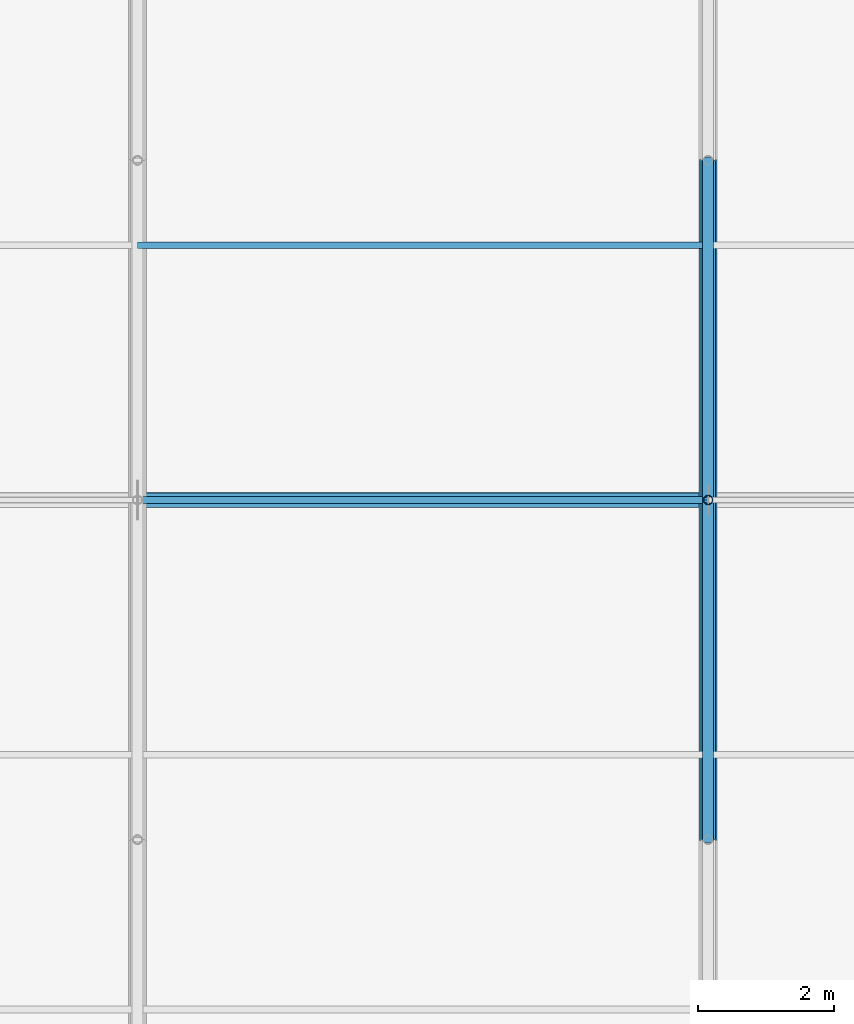
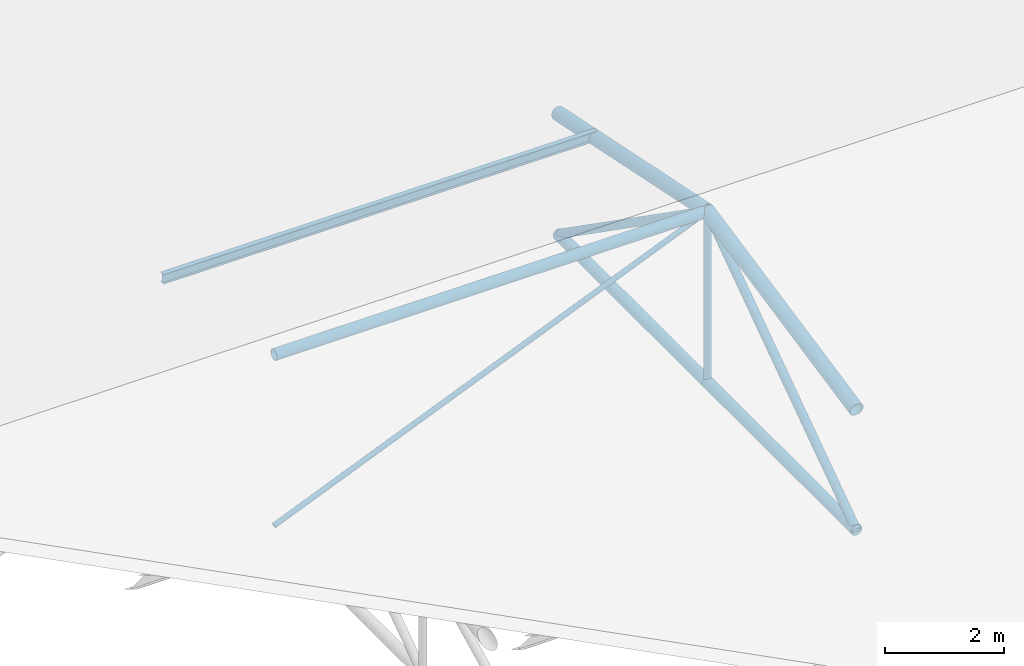
# One storey, part 44 of 194: 9 members, 1 beam.
"""IFC4 building model written with IfcOpenShell, lengths in metres."""

import ifcopenshell
import ifcopenshell.guid

model = None  # the IFC model being written
_history = None  # IfcOwnerHistory: only IFC2X3 demands one
_inside = {}  # id of a spatial element -> (the spatial element, [elements in it])
_under = {}  # id of a project, library or spatial element -> (it, [spatial elements below it])
_declared = {}  # id of a project -> (the project, [libraries it declares])
_typed = {}  # id of a type object -> (the type object, [elements of that type])
_made_of = {}  # id of a material, layer set ... -> (it, [elements and type objects made of it])


def new_model(schema):
    """Start an empty IFC model of exactly this schema.

    Asked for "IFC4X3", IfcOpenShell would pick the latest addendum, in which some entities
    have other attributes; the version numbers below select the first issue.
    IFC2X3 requires an IfcOwnerHistory on every rooted entity: one is made here for all.
    """
    global model, _history
    if schema == "IFC4X3":
        model = ifcopenshell.file(schema_version=(4, 3, 0, 0))
    else:
        model = ifcopenshell.file(schema=schema)
    _inside.clear()
    _under.clear()
    _declared.clear()
    _typed.clear()
    _made_of.clear()
    _history = None
    if model.schema == "IFC2X3":
        org = make("IfcOrganization", Name="unknown")
        user = make(
            "IfcPersonAndOrganization",
            ThePerson=make("IfcPerson", FamilyName="unknown"),
            TheOrganization=org,
        )
        app = make(
            "IfcApplication",
            ApplicationDeveloper=org,
            Version="unknown",
            ApplicationFullName="unknown",
            ApplicationIdentifier="unknown",
        )
        _history = make(
            "IfcOwnerHistory",
            OwningUser=user,
            OwningApplication=app,
            ChangeAction="ADDED",
            CreationDate=0,
        )
    return model


def make(cls, **values):
    """One entity of the class cls with the attributes given. An attribute that is None is left unset."""
    return model.create_entity(
        cls, **{name: value for name, value in values.items() if value is not None}
    )


def rooted(cls, **values):
    """An entity with a GlobalId (a new one), such as an element, a storey or a relation."""
    return make(cls, GlobalId=ifcopenshell.guid.new(), OwnerHistory=_history, **values)


def si_unit(unit_type, name, prefix=None):
    """IfcSIUnit, for example si_unit("LENGTHUNIT", "METRE", prefix="MILLI")."""
    return make("IfcSIUnit", UnitType=unit_type, Prefix=prefix, Name=name)


def assignment(units):
    """IfcUnitAssignment: the units of a project."""
    return None if units is None else make("IfcUnitAssignment", Units=units)


def point(xyz):
    """IfcCartesianPoint."""
    return None if xyz is None else make("IfcCartesianPoint", Coordinates=xyz)


def direction(xyz):
    """IfcDirection."""
    return None if xyz is None else make("IfcDirection", DirectionRatios=xyz)


def frame(location, z_axis=None, x_axis=None):
    """IfcAxis2Placement3D, a coordinate frame: its origin and axes. An axis left out is left unset."""
    return make(
        "IfcAxis2Placement3D",
        Location=point(location),
        Axis=direction(z_axis),
        RefDirection=direction(x_axis),
    )


def frame_2d(location, x_axis=None):
    """IfcAxis2Placement2D, a coordinate frame in the plane: its origin and x axis."""
    return make(
        "IfcAxis2Placement2D", Location=point(location), RefDirection=direction(x_axis)
    )


def origin():
    """The frame at (0, 0, 0) with its axes left unset."""
    return frame((0.0, 0.0, 0.0))


def origin_2d():
    """The frame at (0, 0) in the plane with its x axis left unset."""
    return frame_2d((0.0, 0.0))


def place(relative_to, where):
    """IfcLocalPlacement: puts the frame where relative to a parent placement (None: the world)."""
    return make(
        "IfcLocalPlacement", PlacementRelTo=relative_to, RelativePlacement=where
    )


def context(
    kind, dimensions, precision=None, world=None, true_north=None, identifier=None
):
    """IfcGeometricRepresentationContext, for example the 3D "Model" context."""
    return make(
        "IfcGeometricRepresentationContext",
        ContextIdentifier=identifier,
        ContextType=kind,
        CoordinateSpaceDimension=dimensions,
        Precision=precision,
        WorldCoordinateSystem=world,
        TrueNorth=true_north,
    )


def subcontext(parent, identifier, kind, view, scale=None):
    """IfcGeometricRepresentationSubContext, for example "Body" below "Model"."""
    return make(
        "IfcGeometricRepresentationSubContext",
        ContextIdentifier=identifier,
        ContextType=kind,
        ParentContext=parent,
        TargetScale=scale,
        TargetView=view,
    )


def project(units=None, contexts=None):
    """IfcProject with its units and contexts."""
    return rooted(
        "IfcProject",
        Name="project",
        RepresentationContexts=contexts,
        UnitsInContext=assignment(units),
    )


def spatial(cls, under=None, at=None, **own):
    """A site, building, storey or space (cls), placed at a placement, below another one or the project."""
    s = rooted(cls, ObjectPlacement=at, **own)
    if under is not None:
        _under.setdefault(under.id(), (under, []))[1].append(s)
    return s


def profile(cls, at=None, kind="AREA", **sizes):
    """A parametric profile (cls). Its sizes go by their IFC names, for example OverallWidth=200.0."""
    return make(cls, ProfileType=kind, Position=at, **sizes)


def hollow_circle(**sizes):
    """IfcCircleHollowProfileDef."""
    return profile("IfcCircleHollowProfileDef", **sizes)


def i_section(**sizes):
    """IfcIShapeProfileDef."""
    return profile("IfcIShapeProfileDef", **sizes)


def extrude(swept, where, along, depth):
    """IfcExtrudedAreaSolid: the profile swept, set in the frame where, extruded along a direction by depth."""
    return make(
        "IfcExtrudedAreaSolid",
        SweptArea=swept,
        Position=where,
        ExtrudedDirection=direction(along),
        Depth=depth,
    )


def shape(context_of_items, identifier, shape_type, items):
    """IfcShapeRepresentation: the items that make up one representation, for example the "Body"."""
    return make(
        "IfcShapeRepresentation",
        ContextOfItems=context_of_items,
        RepresentationIdentifier=identifier,
        RepresentationType=shape_type,
        Items=items,
    )


def material(Name=None, Category=None):
    """IfcMaterial."""
    return make("IfcMaterial", Name=Name, Category=Category)


def material_profile(
    of_material, cross_section, Name=None, Category=None, Priority=None
):
    """IfcMaterialProfile: a cross section and its material."""
    return make(
        "IfcMaterialProfile",
        Name=Name,
        Material=of_material,
        Profile=cross_section,
        Priority=Priority,
        Category=Category,
    )


def profile_set(profiles, Name=None, composite=None):
    """IfcMaterialProfileSet."""
    return make(
        "IfcMaterialProfileSet",
        Name=Name,
        MaterialProfiles=profiles,
        CompositeProfile=composite,
    )


def made_of(thing, what):
    """Note that an element or type object is made of a material, layer set ...; save() writes the relation."""
    if what is not None:
        _made_of.setdefault(what.id(), (what, []))[1].append(thing)
    return thing


def type_object(cls, material=None, **own):
    """A type object (cls), such as IfcWallType, which elements share."""
    return made_of(rooted(cls, **own), material)


def element(
    cls,
    number,
    at=None,
    inside=None,
    cuts=None,
    type_object=None,
    material=None,
    context=None,
    identifier="Body",
    shape_type=None,
    held_by="IfcProductDefinitionShape",
    body=None,
    shapes=None,
    **own,
):
    """One element of the class cls, such as IfcWall. Its Tag is "e" and its number.

    at: its placement. inside: the storey or other place that contains it. cuts: it is an
    opening in that element (IfcRelVoidsElement). A single representation is given by context,
    identifier, shape_type and body (its items); several are given by shapes. held_by: the class
    of the entity that holds the representations. save() writes the other relations.
    """
    e = rooted(cls, Tag="e%d" % number, ObjectPlacement=at, **own)
    if body is not None:
        shapes = [shape(context, identifier, shape_type, body)]
    if shapes is not None:
        e.Representation = make(held_by, Representations=shapes)
    if inside is not None:
        _inside.setdefault(inside.id(), (inside, []))[1].append(e)
    if cuts is not None:
        rooted(
            "IfcRelVoidsElement", RelatingBuildingElement=cuts, RelatedOpeningElement=e
        )
    if type_object is not None:
        _typed.setdefault(type_object.id(), (type_object, []))[1].append(e)
    return made_of(e, material)


def aggregate(whole, parts):
    """IfcRelAggregates: a whole, such as a stair, and the parts it consists of."""
    return rooted("IfcRelAggregates", RelatingObject=whole, RelatedObjects=parts)


def save(model, path):
    """Write the relations noted so far, then the file.

    IfcRelAggregates (storeys below a building ...), IfcRelContainedInSpatialStructure (elements
    in a storey), IfcRelDefinesByType, IfcRelAssociatesMaterial and IfcRelDeclares: one each for
    every whole, place, type object, material and project.
    """
    for whole, parts in _under.values():
        aggregate(whole, parts)
    for where, things in _inside.values():
        rooted(
            "IfcRelContainedInSpatialStructure",
            RelatedElements=things,
            RelatingStructure=where,
        )
    for kind, things in _typed.values():
        rooted("IfcRelDefinesByType", RelatedObjects=things, RelatingType=kind)
    for what, things in _made_of.values():
        rooted("IfcRelAssociatesMaterial", RelatedObjects=things, RelatingMaterial=what)
    for by, libraries in _declared.values():
        rooted("IfcRelDeclares", RelatingContext=by, RelatedDefinitions=libraries)
    model.write(path)


model = new_model("IFC4")

# Units and contexts
model_context = context("Model", 3, precision=1e-05, world=origin(), true_north=direction((0.0, 1.0)))
body_context = subcontext(model_context, "Body", "Model", "MODEL_VIEW")
ifc_project = project(units=[si_unit("LENGTHUNIT", "METRE"), si_unit("AREAUNIT", "SQUARE_METRE"), si_unit("VOLUMEUNIT", "CUBIC_METRE"), si_unit("PLANEANGLEUNIT", "RADIAN"), si_unit("MASSUNIT", "GRAM", prefix="KILO")], contexts=[model_context])

# Site, building, storey
site_placement = place(None, origin())
site = spatial("IfcSite", under=ifc_project, at=site_placement, CompositionType="ELEMENT")
building_placement = place(site_placement, origin())
building = spatial("IfcBuilding", under=site, at=building_placement, Name="Kazenagashi Tramway Depot", CompositionType="ELEMENT")
storey_placement = place(building_placement, frame((0.0, 0.0, 23.7)))
storey = spatial("IfcBuildingStorey", under=building, at=storey_placement, Name="ROOF", CompositionType="ELEMENT", Elevation=23.7)

# Beam
ifc_material_1 = material(Name="Steel SN400B", Category="steel")
ifc_material_profile_1 = material_profile(ifc_material_1, i_section(OverallWidth=0.1, OverallDepth=0.2, WebThickness=0.0055, FlangeThickness=0.008, at=origin_2d()), Name="H-200x100x5.5x8")
ifc_profile_set_1 = profile_set([ifc_material_profile_1], Name="Steel SN400B")
beam_type = type_object("IfcBeamType", Name="PR-01", PredefinedType="USERDEFINED", material=ifc_profile_set_1)
beam_placement = place(storey_placement, frame((70.0, 118.75, -11.305), z_axis=(1.0, 0.0, 0.0), x_axis=(0.0, 1.0, 0.0)))
element("IfcBeam", 1, at=beam_placement, inside=storey, type_object=beam_type, Name="Beam PR-01 BM-2183", ObjectType="PURLIN", PredefinedType="USERDEFINED", context=body_context, shape_type="SweptSolid", body=[
    extrude(i_section(OverallWidth=0.1, OverallDepth=0.2, WebThickness=0.0055, FlangeThickness=0.008, at=origin_2d()), origin(), (0.0, 0.0, 1.0), 8.4),
])

# Members
ifc_material_2 = material(Name="Steel STK490", Category="steel")
ifc_material_profile_2 = material_profile(ifc_material_2, hollow_circle(Radius=0.1337, WallThickness=0.0093, at=origin_2d()), Name="CHS-267.4x9.3")
ifc_profile_set_2 = profile_set([ifc_material_profile_2], Name="Steel STK490")
member_type_1 = type_object("IfcMemberType", Name="TC-01", PredefinedType="CHORD", material=ifc_profile_set_2)
for number, where, z_axis, x_axis, name in (
    (2, (78.4, 110.0, -11.633), (0.0, 0.979317999984, 0.202327098797), (-1.0, 0.0, 0.0), "Tubular Space Frame TC-01 MEM-0282"),
    (3, (78.4, 115.0, -10.6), (0.0, 0.979317999984, -0.202327098797), (-1.0, 0.0, 0.0), "Tubular Space Frame TC-01 MEM-0285"),
):
    element("IfcMember", number, at=place(storey_placement, frame(where, z_axis=z_axis, x_axis=x_axis)), inside=storey, type_object=member_type_1, Name=name, PredefinedType="CHORD", context=body_context, shape_type="SweptSolid", body=[
        extrude(hollow_circle(Radius=0.1337, WallThickness=0.0093, at=origin_2d()), origin(), (0.0, 0.0, 1.0), 5.105594),
    ])
ifc_material_profile_3 = material_profile(ifc_material_2, hollow_circle(Radius=0.10815, WallThickness=0.0082, at=origin_2d()), Name="CHS-216.3x8.2")
ifc_profile_set_3 = profile_set([ifc_material_profile_3], Name="Steel STK490")
member_type_2 = type_object("IfcMemberType", Name="TC-02", PredefinedType="CHORD", material=ifc_profile_set_3)
member_1_placement = place(storey_placement, frame((70.0, 115.0, -10.6), z_axis=(1.0, 0.0, 0.0), x_axis=(0.0, 1.0, 0.0)))
element("IfcMember", 4, at=member_1_placement, inside=storey, type_object=member_type_2, Name="Tubular Space Frame TC-02 MEM-0241", PredefinedType="CHORD", context=body_context, shape_type="SweptSolid", body=[
    extrude(hollow_circle(Radius=0.10815, WallThickness=0.0082, at=origin_2d()), origin(), (0.0, 0.0, 1.0), 8.4),
])
for number, where, z_axis, x_axis, name in (
    (5, (78.4, 110.0, -14.1), (0.0, 1.0, 0.0), (-1.0, 0.0, 0.0), "Tubular Space Frame TC-02 MEM-0283"),
    (6, (78.4, 115.0, -14.1), (0.0, 1.0, 0.0), (-1.0, 0.0, 0.0), "Tubular Space Frame TC-02 MEM-0286"),
):
    element("IfcMember", number, at=place(storey_placement, frame(where, z_axis=z_axis, x_axis=x_axis)), inside=storey, type_object=member_type_2, Name=name, PredefinedType="CHORD", context=body_context, shape_type="SweptSolid", body=[
        extrude(hollow_circle(Radius=0.10815, WallThickness=0.0082, at=origin_2d()), origin(), (0.0, 0.0, 1.0), 5.0),
    ])
ifc_material_profile_4 = material_profile(ifc_material_2, hollow_circle(Radius=0.0826, WallThickness=0.0071, at=origin_2d()), Name="CHS-165.2x7.1")
ifc_profile_set_4 = profile_set([ifc_material_profile_4], Name="Steel STK490")
member_type_3 = type_object("IfcMemberType", Name="TS-01", PredefinedType="STRUT", material=ifc_profile_set_4)
for number, where, z_axis, x_axis, name in (
    (7, (78.4, 110.0, -14.1), (0.0, 0.819231920519, 0.573462344363), (-1.0, 0.0, 0.0), "Tubular Space Frame TS-01 MEM-0284"),
    (8, (78.4, 115.0, -10.6), (0.0, 0.819231920519, -0.573462344363), (-1.0, 0.0, 0.0), "Tubular Space Frame TS-01 MEM-0287"),
):
    element("IfcMember", number, at=place(storey_placement, frame(where, z_axis=z_axis, x_axis=x_axis)), inside=storey, type_object=member_type_3, Name=name, PredefinedType="STRUT", context=body_context, shape_type="SweptSolid", body=[
        extrude(hollow_circle(Radius=0.0826, WallThickness=0.0071, at=origin_2d()), origin(), (0.0, 0.0, 1.0), 6.103278),
    ])
ifc_material_profile_5 = material_profile(ifc_material_2, hollow_circle(Radius=0.0699, WallThickness=0.0066, at=origin_2d()), Name="CHS-139.8x6.6")
ifc_profile_set_5 = profile_set([ifc_material_profile_5], Name="Steel STK490")
member_type_4 = type_object("IfcMemberType", Name="TS-02", PredefinedType="STRUT", material=ifc_profile_set_5)
member_2_placement = place(storey_placement, frame((78.4, 115.0, -14.1), z_axis=(0.0, 0.0, 1.0), x_axis=(1.0, 0.0, 0.0)))
element("IfcMember", 9, at=member_2_placement, inside=storey, type_object=member_type_4, Name="Tubular Space Frame TS-02 MEM-0296", PredefinedType="STRUT", context=body_context, shape_type="SweptSolid", body=[
    extrude(hollow_circle(Radius=0.0699, WallThickness=0.0066, at=origin_2d()), origin(), (0.0, 0.0, 1.0), 3.5),
])
ifc_material_3 = material(Name="Steel STK400", Category="steel")
ifc_material_profile_6 = material_profile(ifc_material_3, hollow_circle(Radius=0.0508, WallThickness=0.0042, at=origin_2d()), Name="CHS-101.6x4.2")
ifc_profile_set_6 = profile_set([ifc_material_profile_6], Name="Steel STK400")
member_type_5 = type_object("IfcMemberType", Name="TS-06", PredefinedType="STRUT", material=ifc_profile_set_6)
member_3_placement = place(storey_placement, frame((70.0, 115.0, -14.1), z_axis=(0.923076923077, 0.0, 0.384615384615), x_axis=(0.0, 1.0, 0.0)))
element("IfcMember", 10, at=member_3_placement, inside=storey, type_object=member_type_5, Name="Tubular Space Frame TS-06 MEM-0242", PredefinedType="STRUT", context=body_context, shape_type="SweptSolid", body=[
    extrude(hollow_circle(Radius=0.0508, WallThickness=0.0042, at=origin_2d()), origin(), (0.0, 0.0, 1.0), 9.1),
])

save(model, "model.ifc")
